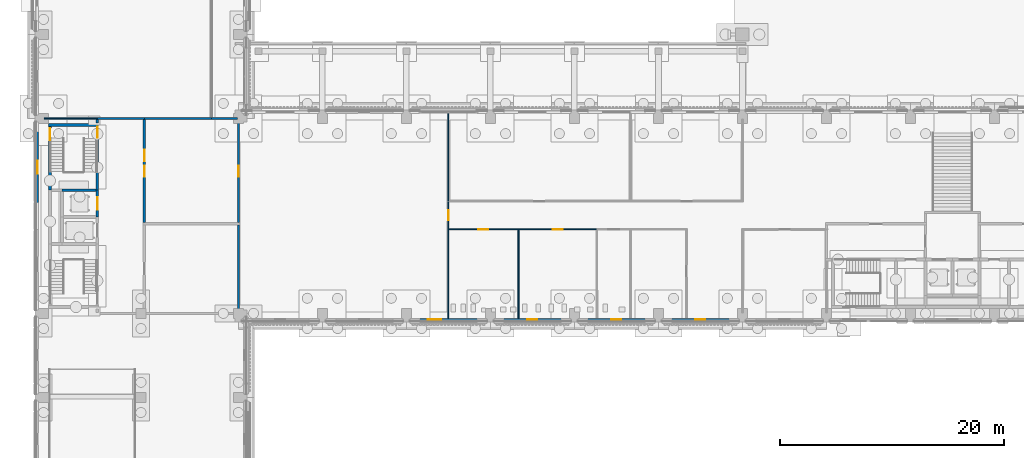
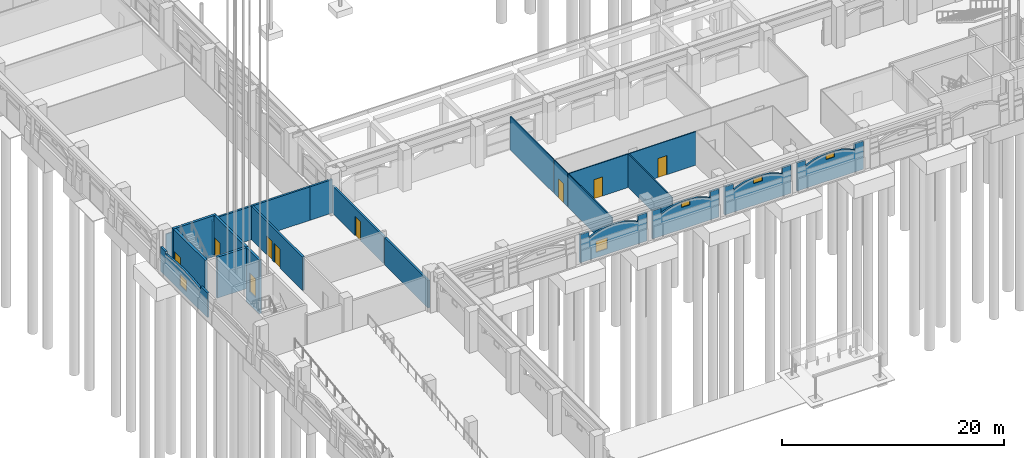
# One storey, part 33 of 99: 24 walls, 9 doors, 5 windows, 14 openings.
"""IFC4 building model written with IfcOpenShell, lengths in metres."""

from ifc_helpers import new_model, si_unit, direction, frame, frame_2d, origin, place, context, subcontext, project, spatial, polyline, rectangle, outline, extrude, material, layer, layer_set, type_object, element, fill, save


model = new_model("IFC4")

# Units and contexts
model_context = context("Model", 3, precision=1e-05, world=origin(), true_north=direction((0.0, 1.0)))
body_context = subcontext(model_context, "Body", "Model", "MODEL_VIEW")
ifc_project = project(units=[si_unit("LENGTHUNIT", "METRE"), si_unit("AREAUNIT", "SQUARE_METRE"), si_unit("VOLUMEUNIT", "CUBIC_METRE"), si_unit("PLANEANGLEUNIT", "RADIAN"), si_unit("MASSUNIT", "GRAM", prefix="KILO")], contexts=[model_context])

# Site, building, storey
site_placement = place(None, origin())
site = spatial("IfcSite", under=ifc_project, at=site_placement, CompositionType="ELEMENT")
building_placement = place(site_placement, origin())
building = spatial("IfcBuilding", under=site, at=building_placement, Name="Cour d'Honneur Mobility Palace", CompositionType="ELEMENT")
storey_placement = place(building_placement, origin())
storey = spatial("IfcBuildingStorey", under=building, at=storey_placement, Name="L00", CompositionType="ELEMENT", Elevation=0.0)

# Wall, opening, window
ifc_material_1 = material(Name="Concrete C40", Category="concrete")
ifc_layer_1 = layer(ifc_material_1, 0.199951171875)
ifc_layer_set_1 = layer_set([ifc_layer_1], Name="Concrete C40")
wall_type_1 = type_object("IfcWallType", Name="Arch infill panel", PredefinedType="SOLIDWALL", material=ifc_layer_set_1)
wall_1_placement = place(storey_placement, frame((32.699951171875, 44.449951171875, 0.0), z_axis=(0.0, 0.0, 1.0), x_axis=(1.0, 0.0, 0.0)))
wall_1 = element("IfcWall", 1, at=wall_1_placement, inside=storey, type_object=wall_type_1, Name="Arch infill panel IP-11", PredefinedType="SOLIDWALL", context=body_context, shape_type="SweptSolid", body=[
    extrude(outline(polyline([(0.0, 0.0), (6.900146484375, 0.0), (6.89990234375, 3.10009765625), (6.001953125, 3.10009765625), (6.0, 2.39990234375), (5.68115234375, 2.560302734375), (5.362548828125, 2.69482421875), (5.043701171875, 2.805908203125), (4.72509765625, 2.895263671875), (4.40625, 2.96337890625), (4.08740234375, 3.01171875), (3.768798828125, 3.04052734375), (3.449951171875, 3.050048828125), (3.13134765625, 3.04052734375), (2.8125, 3.01171875), (2.49365234375, 2.96337890625), (2.175048828125, 2.895263671875), (1.856201171875, 2.805908203125), (1.53759765625, 2.69482421875), (1.21875, 2.560302734375), (0.89990234375, 2.39990234375), (0.89794921875, 3.10009765625), (0.0, 3.10009765625), (0.0, 0.0)])), frame((0.0, 0.10009765625, 0.0), z_axis=(0.0, -1.0, 0.0), x_axis=(1.0, 0.0, 0.0)), (0.0, 0.0, 1.0), 0.199951171875),
])
opening_1_placement = place(wall_1_placement, frame((1.625, 0.0, 0.60009765625)))
opening_1 = element("IfcOpeningElement", 2, at=opening_1_placement, cuts=wall_1, Name="Opening WP-1", PredefinedType="OPENING", context=body_context, shape_type="SweptSolid", body=[
    extrude(rectangle(XDim=1.199951171875, YDim=1.199951171875, at=frame_2d((0.60009765625, 0.60009765625))), frame((0.0, 0.10986328125, 0.0), z_axis=(0.0, -1.0, 0.0), x_axis=(1.0, 0.0, 0.0)), (0.0, 0.0, 1.0), 0.219970703125),
])
ifc_material_2 = material(Name="Aluminium frame and glass", Category="aluminium")
window_type_1 = type_object("IfcWindowType", Name="Pavilion window W-PV", PartitioningType="SINGLE_PANEL", PredefinedType="WINDOW", material=ifc_material_2)
window_1_placement = place(opening_1_placement, origin())
window_1 = element("IfcWindow", 3, at=window_1_placement, inside=storey, type_object=window_type_1, Name="Pavilion window W-PV WP-1", OverallHeight=1.199951171875, OverallWidth=1.199951171875, PartitioningType="SINGLE_PANEL", PredefinedType="WINDOW", context=body_context, shape_type="SweptSolid", body=[
    extrude(rectangle(XDim=1.199951171875, YDim=1.199951171875, at=frame_2d((0.60009765625, 0.60009765625))), frame((0.0, 0.030029296875, 0.0), z_axis=(0.0, -1.0, 0.0), x_axis=(1.0, 0.0, 0.0)), (0.0, 0.0, 1.0), 0.06005859375),
])
fill(opening_1, window_1)

wall_2_placement = place(storey_placement, frame((40.199951171875, 44.449951171875, 0.0), z_axis=(0.0, 0.0, 1.0), x_axis=(1.0, 0.0, 0.0)))
wall_2 = element("IfcWall", 4, at=wall_2_placement, inside=storey, type_object=wall_type_1, Name="Arch infill panel IP-12", PredefinedType="SOLIDWALL", context=body_context, shape_type="SweptSolid", body=[
    extrude(outline(polyline([(0.0, 0.0), (6.900146484375, 0.0), (6.89990234375, 3.10009765625), (6.001953125, 3.10009765625), (6.0, 2.39990234375), (5.68115234375, 2.560302734375), (5.362548828125, 2.69482421875), (5.043701171875, 2.805908203125), (4.72509765625, 2.895263671875), (4.40625, 2.96337890625), (4.08740234375, 3.01171875), (3.768798828125, 3.04052734375), (3.449951171875, 3.050048828125), (3.13134765625, 3.04052734375), (2.8125, 3.01171875), (2.49365234375, 2.96337890625), (2.175048828125, 2.895263671875), (1.856201171875, 2.805908203125), (1.53759765625, 2.69482421875), (1.21875, 2.560302734375), (0.89990234375, 2.39990234375), (0.89794921875, 3.10009765625), (0.0, 3.10009765625), (0.0, 0.0)])), frame((0.0, 0.10009765625, 0.0), z_axis=(0.0, -1.0, 0.0), x_axis=(1.0, 0.0, 0.0)), (0.0, 0.0, 1.0), 0.199951171875),
])
opening_2_placement = place(wall_2_placement, frame((3.0, 0.0, 2.39990234375)))
opening_2 = element("IfcOpeningElement", 5, at=opening_2_placement, cuts=wall_2, Name="Opening WH-9", PredefinedType="OPENING", context=body_context, shape_type="SweptSolid", body=[
    extrude(rectangle(XDim=0.89990234375, YDim=0.531005859375, at=frame_2d((0.449951171875, 0.265625))), frame((0.0, 0.10986328125, 0.0), z_axis=(0.0, -1.0, 0.0), x_axis=(1.0, 0.0, 0.0)), (0.0, 0.0, 1.0), 0.219970703125),
])
ifc_material_3 = material(Name="Aluminium frame and glass", Category="aluminium")
window_type_2 = type_object("IfcWindowType", Name="High-level window 531", PartitioningType="SINGLE_PANEL", PredefinedType="WINDOW", material=ifc_material_3)
window_2_placement = place(opening_2_placement, origin())
window_2 = element("IfcWindow", 6, at=window_2_placement, inside=storey, type_object=window_type_2, Name="High-level window 531 WH-9", OverallHeight=0.531005859375, OverallWidth=0.89990234375, PartitioningType="SINGLE_PANEL", PredefinedType="WINDOW", context=body_context, shape_type="SweptSolid", body=[
    extrude(rectangle(XDim=0.89990234375, YDim=0.531005859375, at=frame_2d((0.449951171875, 0.265625))), frame((0.0, 0.030029296875, 0.0), z_axis=(0.0, -1.0, 0.0), x_axis=(1.0, 0.0, 0.0)), (0.0, 0.0, 1.0), 0.06005859375),
])
fill(opening_2, window_2)

wall_3_placement = place(storey_placement, frame((47.699951171875, 44.449951171875, 0.0), z_axis=(0.0, 0.0, 1.0), x_axis=(1.0, 0.0, 0.0)))
wall_3 = element("IfcWall", 7, at=wall_3_placement, inside=storey, type_object=wall_type_1, Name="Arch infill panel IP-13", PredefinedType="SOLIDWALL", context=body_context, shape_type="SweptSolid", body=[
    extrude(outline(polyline([(0.0, 0.0), (6.900146484375, 0.0), (6.89990234375, 3.10009765625), (6.001953125, 3.10009765625), (6.0, 2.39990234375), (5.68115234375, 2.560302734375), (5.362548828125, 2.69482421875), (5.043701171875, 2.805908203125), (4.72509765625, 2.895263671875), (4.40625, 2.96337890625), (4.08740234375, 3.01171875), (3.768798828125, 3.04052734375), (3.449951171875, 3.050048828125), (3.13134765625, 3.04052734375), (2.8125, 3.01171875), (2.49365234375, 2.96337890625), (2.175048828125, 2.895263671875), (1.856201171875, 2.805908203125), (1.53759765625, 2.69482421875), (1.21875, 2.560302734375), (0.89990234375, 2.39990234375), (0.89794921875, 3.10009765625), (0.0, 3.10009765625), (0.0, 0.0)])), frame((0.0, 0.10009765625, 0.0), z_axis=(0.0, -1.0, 0.0), x_axis=(1.0, 0.0, 0.0)), (0.0, 0.0, 1.0), 0.199951171875),
])
opening_3_placement = place(wall_3_placement, frame((3.0, 0.0, 2.39990234375)))
opening_3 = element("IfcOpeningElement", 8, at=opening_3_placement, cuts=wall_3, Name="Opening WH-10", PredefinedType="OPENING", context=body_context, shape_type="SweptSolid", body=[
    extrude(rectangle(XDim=0.89990234375, YDim=0.531005859375, at=frame_2d((0.449951171875, 0.265625))), frame((0.0, 0.10986328125, 0.0), z_axis=(0.0, -1.0, 0.0), x_axis=(1.0, 0.0, 0.0)), (0.0, 0.0, 1.0), 0.219970703125),
])
window_3_placement = place(opening_3_placement, origin())
window_3 = element("IfcWindow", 9, at=window_3_placement, inside=storey, type_object=window_type_2, Name="High-level window 531 WH-10", OverallHeight=0.531005859375, OverallWidth=0.89990234375, PartitioningType="SINGLE_PANEL", PredefinedType="WINDOW", context=body_context, shape_type="SweptSolid", body=[
    extrude(rectangle(XDim=0.89990234375, YDim=0.531005859375, at=frame_2d((0.449951171875, 0.265625))), frame((0.0, 0.030029296875, 0.0), z_axis=(0.0, -1.0, 0.0), x_axis=(1.0, 0.0, 0.0)), (0.0, 0.0, 1.0), 0.06005859375),
])
fill(opening_3, window_3)

wall_4_placement = place(storey_placement, frame((55.199951171875, 44.449951171875, 0.0), z_axis=(0.0, 0.0, 1.0), x_axis=(1.0, 0.0, 0.0)))
wall_4 = element("IfcWall", 10, at=wall_4_placement, inside=storey, type_object=wall_type_1, Name="Arch infill panel IP-14", PredefinedType="SOLIDWALL", context=body_context, shape_type="SweptSolid", body=[
    extrude(outline(polyline([(0.0, 0.0), (6.900146484375, 0.0), (6.89990234375, 3.10009765625), (6.001953125, 3.10009765625), (6.0, 2.39990234375), (5.68115234375, 2.560302734375), (5.362548828125, 2.69482421875), (5.043701171875, 2.805908203125), (4.72509765625, 2.895263671875), (4.40625, 2.96337890625), (4.08740234375, 3.01171875), (3.768798828125, 3.04052734375), (3.449951171875, 3.050048828125), (3.13134765625, 3.04052734375), (2.8125, 3.01171875), (2.49365234375, 2.96337890625), (2.175048828125, 2.895263671875), (1.856201171875, 2.805908203125), (1.53759765625, 2.69482421875), (1.21875, 2.560302734375), (0.89990234375, 2.39990234375), (0.89794921875, 3.10009765625), (0.0, 3.10009765625), (0.0, 0.0)])), frame((0.0, 0.10009765625, 0.0), z_axis=(0.0, -1.0, 0.0), x_axis=(1.0, 0.0, 0.0)), (0.0, 0.0, 1.0), 0.199951171875),
])
opening_4_placement = place(wall_4_placement, frame((3.0, 0.0, 2.39990234375)))
opening_4 = element("IfcOpeningElement", 11, at=opening_4_placement, cuts=wall_4, Name="Opening WH-11", PredefinedType="OPENING", context=body_context, shape_type="SweptSolid", body=[
    extrude(rectangle(XDim=0.89990234375, YDim=0.531005859375, at=frame_2d((0.449951171875, 0.265625))), frame((0.0, 0.10986328125, 0.0), z_axis=(0.0, -1.0, 0.0), x_axis=(1.0, 0.0, 0.0)), (0.0, 0.0, 1.0), 0.219970703125),
])
window_4_placement = place(opening_4_placement, origin())
window_4 = element("IfcWindow", 12, at=window_4_placement, inside=storey, type_object=window_type_2, Name="High-level window 531 WH-11", OverallHeight=0.531005859375, OverallWidth=0.89990234375, PartitioningType="SINGLE_PANEL", PredefinedType="WINDOW", context=body_context, shape_type="SweptSolid", body=[
    extrude(rectangle(XDim=0.89990234375, YDim=0.531005859375, at=frame_2d((0.449951171875, 0.265625))), frame((0.0, 0.030029296875, 0.0), z_axis=(0.0, -1.0, 0.0), x_axis=(1.0, 0.0, 0.0)), (0.0, 0.0, 1.0), 0.06005859375),
])
fill(opening_4, window_4)

wall_5_placement = place(storey_placement, frame((-0.550048828125, 62.10009765625, 0.0), z_axis=(0.0, 0.0, 1.0), x_axis=(0.0, -1.0, 0.0)))
wall_5 = element("IfcWall", 13, at=wall_5_placement, inside=storey, type_object=wall_type_1, Name="Arch infill panel IP-104", PredefinedType="SOLIDWALL", context=body_context, shape_type="SweptSolid", body=[
    extrude(outline(polyline([(0.0, 0.0), (8.400146484375, 0.0), (8.39990234375, 2.699951171875), (7.201904296875, 2.699951171875), (7.199951171875, 2.39990234375), (6.80615234375, 2.458984375), (6.41259765625, 2.509765625), (6.018798828125, 2.552734375), (5.625, 2.587890625), (5.231201171875, 2.614990234375), (4.83740234375, 2.634521484375), (4.44384765625, 2.64599609375), (4.050048828125, 2.64990234375), (3.65625, 2.64599609375), (3.262451171875, 2.634521484375), (2.86865234375, 2.614990234375), (2.47509765625, 2.587890625), (2.081298828125, 2.552734375), (1.6875, 2.509765625), (1.293701171875, 2.458984375), (0.89990234375, 2.39990234375), (0.89794921875, 2.699951171875), (0.0, 2.699951171875), (0.0, 0.0)])), frame((0.0, 0.10009765625, 0.0), z_axis=(0.0, -1.0, 0.0), x_axis=(1.0, 0.0, 0.0)), (0.0, 0.0, 1.0), 0.199951171875),
])
opening_5_placement = place(wall_5_placement, frame((3.449951171875, 0.0, 0.60009765625)))
opening_5 = element("IfcOpeningElement", 14, at=opening_5_placement, cuts=wall_5, Name="Opening WP-10", PredefinedType="OPENING", context=body_context, shape_type="SweptSolid", body=[
    extrude(rectangle(XDim=1.199951171875, YDim=1.199951171875, at=frame_2d((0.60009765625, 0.60009765625))), frame((0.0, 0.10986328125, 0.0), z_axis=(0.0, -1.0, 0.0), x_axis=(1.0, 0.0, 0.0)), (0.0, 0.0, 1.0), 0.219970703125),
])
window_5_placement = place(opening_5_placement, origin())
window_5 = element("IfcWindow", 15, at=window_5_placement, inside=storey, type_object=window_type_1, Name="Pavilion window W-PV WP-10", OverallHeight=1.199951171875, OverallWidth=1.199951171875, PartitioningType="SINGLE_PANEL", PredefinedType="WINDOW", context=body_context, shape_type="SweptSolid", body=[
    extrude(rectangle(XDim=1.199951171875, YDim=1.199951171875, at=frame_2d((0.60009765625, 0.60009765625))), frame((0.0, 0.030029296875, 0.0), z_axis=(0.0, -1.0, 0.0), x_axis=(1.0, 0.0, 0.0)), (0.0, 0.0, 1.0), 0.06005859375),
])
fill(opening_5, window_5)

# Wall, opening, door
ifc_material_4 = material(Name="Concrete C50", Category="concrete")
ifc_layer_2 = layer(ifc_material_4, 0.25)
ifc_layer_set_2 = layer_set([ifc_layer_2], Name="Concrete C50")
wall_type_2 = type_object("IfcWallType", Name="Lift shaft wall 250", PredefinedType="SHEAR", material=ifc_layer_set_2)
wall_6_placement = place(storey_placement, frame((4.800048828125, 53.60009765625, -1.39990234375), z_axis=(0.0, 0.0, 1.0), x_axis=(0.0, 1.0, 0.0)))
wall_6 = element("IfcWall", 16, at=wall_6_placement, inside=storey, type_object=wall_type_2, Name="Lift shaft wall WL-CW15 L00", PredefinedType="SHEAR", context=body_context, shape_type="SweptSolid", body=[
    extrude(rectangle(XDim=2.39990234375, YDim=0.25, at=frame_2d((1.199951171875, 0.0))), origin(), (0.0, 0.0, 1.0), 5.89990234375),
])
opening_6_placement = place(wall_6_placement, frame((0.64990234375, 0.0, 1.39990234375)))
opening_6 = element("IfcOpeningElement", 17, at=opening_6_placement, cuts=wall_6, Name="Opening LD11", PredefinedType="OPENING", context=body_context, shape_type="SweptSolid", body=[
    extrude(rectangle(XDim=1.10009765625, YDim=2.10009765625, at=frame_2d((0.550048828125, 1.050048828125))), frame((0.0, 0.135009765625, 0.0), z_axis=(0.0, -1.0, 0.0), x_axis=(1.0, 0.0, 0.0)), (0.0, 0.0, 1.0), 0.27001953125),
])
ifc_material_5 = material(Name="Stainless steel", Category="steel")
door_type_1 = type_object("IfcDoorType", Name="Landing door 1100 x 2100", OperationType="SLIDING_TO_LEFT", PredefinedType="DOOR", material=ifc_material_5)
door_1_placement = place(opening_6_placement, origin())
door_1 = element("IfcDoor", 18, at=door_1_placement, inside=storey, type_object=door_type_1, Name="Landing door LF-CW2 L00", OperationType="SLIDING_TO_LEFT", OverallHeight=2.10009765625, OverallWidth=1.10009765625, PredefinedType="DOOR", context=body_context, shape_type="SweptSolid", body=[
    extrude(rectangle(XDim=1.10009765625, YDim=2.10009765625, at=frame_2d((0.550048828125, 1.050048828125))), frame((0.0, 0.02490234375, 0.0), z_axis=(0.0, -1.0, 0.0), x_axis=(1.0, 0.0, 0.0)), (0.0, 0.0, 1.0), 0.050048828125),
])
fill(opening_6, door_1)

# Walls
ifc_material_6 = material(Name="Gypsum plasterboard")
ifc_layer_3 = layer(ifc_material_6, 0.10009765625)
ifc_layer_set_3 = layer_set([ifc_layer_3], Name="Gypsum plasterboard")
wall_type_3 = type_object("IfcWallType", Name="Partition 100", PredefinedType="PARTITIONING", material=ifc_layer_set_3)
for number, where, z_axis, x_axis, name in (
    (19, (36.14990234375, 44.550048828125, 0.0), (0.0, 0.0, 1.0), (0.0, 1.0, 0.0), "Partition 030"),
    (20, (42.39990234375, 44.550048828125, 0.0), (0.0, 0.0, 1.0), (0.0, 1.0, 0.0), "Partition 031"),
):
    element("IfcWall", number, at=place(storey_placement, frame(where, z_axis=z_axis, x_axis=x_axis)), inside=storey, type_object=wall_type_3, Name=name, PredefinedType="PARTITIONING", context=body_context, shape_type="SweptSolid", body=[
        extrude(rectangle(XDim=7.89990234375, YDim=0.10009765625, at=frame_2d((3.949951171875, 0.0))), origin(), (0.0, 0.0, 1.0), 3.679931640625),
    ])

# Wall, opening, door
wall_7_placement = place(storey_placement, frame((36.14990234375, 52.550048828125, 0.0), z_axis=(0.0, 0.0, 1.0), x_axis=(0.0, 1.0, 0.0)))
wall_7 = element("IfcWall", 21, at=wall_7_placement, inside=storey, type_object=wall_type_3, Name="Partition 048", PredefinedType="PARTITIONING", context=body_context, shape_type="SweptSolid", body=[
    extrude(rectangle(XDim=2.39990234375, YDim=0.10009765625, at=frame_2d((1.199951171875, 0.0))), origin(), (0.0, 0.0, 1.0), 3.679931640625),
])
opening_7_placement = place(wall_7_placement, frame((0.75, 0.0, 0.0)))
opening_7 = element("IfcOpeningElement", 22, at=opening_7_placement, cuts=wall_7, Name="Opening D0015", PredefinedType="OPENING", context=body_context, shape_type="SweptSolid", body=[
    extrude(rectangle(XDim=0.89990234375, YDim=2.10009765625, at=frame_2d((0.449951171875, 1.050048828125))), frame((0.0, 0.06005859375, 0.0), z_axis=(0.0, -1.0, 0.0), x_axis=(1.0, 0.0, 0.0)), (0.0, 0.0, 1.0), 0.1201171875),
])
ifc_material_7 = material(Name="Solid timber", Category="wood")
door_type_2 = type_object("IfcDoorType", Name="Single door 900 x 2100", OperationType="SINGLE_SWING_LEFT", PredefinedType="DOOR", material=ifc_material_7)
door_2_placement = place(opening_7_placement, origin())
door_2 = element("IfcDoor", 23, at=door_2_placement, inside=storey, type_object=door_type_2, Name="Door Taxi Lounge", OperationType="SINGLE_SWING_RIGHT", OverallHeight=2.10009765625, OverallWidth=0.89990234375, PredefinedType="DOOR", context=body_context, shape_type="SweptSolid", body=[
    extrude(rectangle(XDim=0.89990234375, YDim=2.10009765625, at=frame_2d((0.449951171875, 1.050048828125))), frame((0.0, 0.02490234375, 0.0), z_axis=(0.0, -1.0, 0.0), x_axis=(1.0, 0.0, 0.0)), (0.0, 0.0, 1.0), 0.050048828125),
])
fill(opening_7, door_2)

wall_8_placement = place(storey_placement, frame((42.39990234375, 52.5, 0.0), z_axis=(0.0, 0.0, 1.0), x_axis=(-1.0, 0.0, 0.0)))
wall_8 = element("IfcWall", 24, at=wall_8_placement, inside=storey, type_object=wall_type_3, Name="Partition 049", PredefinedType="PARTITIONING", context=body_context, shape_type="SweptSolid", body=[
    extrude(rectangle(XDim=6.2998046875, YDim=0.10009765625, at=frame_2d((3.14990234375, 0.0))), origin(), (0.0, 0.0, 1.0), 3.679931640625),
])
opening_8_placement = place(wall_8_placement, frame((2.699951171875, 0.0, 0.0)))
opening_8 = element("IfcOpeningElement", 25, at=opening_8_placement, cuts=wall_8, Name="Opening D0017", PredefinedType="OPENING", context=body_context, shape_type="SweptSolid", body=[
    extrude(rectangle(XDim=0.89990234375, YDim=2.10009765625, at=frame_2d((0.449951171875, 1.050048828125))), frame((0.0, 0.06005859375, 0.0), z_axis=(0.0, -1.0, 0.0), x_axis=(1.0, 0.0, 0.0)), (0.0, 0.0, 1.0), 0.1201171875),
])
door_3_placement = place(opening_8_placement, origin())
door_3 = element("IfcDoor", 26, at=door_3_placement, inside=storey, type_object=door_type_2, Name="Door WC Men", OperationType="SINGLE_SWING_LEFT", OverallHeight=2.10009765625, OverallWidth=0.89990234375, PredefinedType="DOOR", context=body_context, shape_type="SweptSolid", body=[
    extrude(rectangle(XDim=0.89990234375, YDim=2.10009765625, at=frame_2d((0.449951171875, 1.050048828125))), frame((0.0, 0.02490234375, 0.0), z_axis=(0.0, -1.0, 0.0), x_axis=(1.0, 0.0, 0.0)), (0.0, 0.0, 1.0), 0.050048828125),
])
fill(opening_8, door_3)

wall_9_placement = place(storey_placement, frame((49.39990234375, 52.5, 0.0), z_axis=(0.0, 0.0, 1.0), x_axis=(-1.0, 0.0, 0.0)))
wall_9 = element("IfcWall", 27, at=wall_9_placement, inside=storey, type_object=wall_type_3, Name="Partition 050", PredefinedType="PARTITIONING", context=body_context, shape_type="SweptSolid", body=[
    extrude(rectangle(XDim=7.0, YDim=0.10009765625, at=frame_2d((3.5, 0.0))), origin(), (0.0, 0.0, 1.0), 3.679931640625),
])
opening_9_placement = place(wall_9_placement, frame((3.050048828125, 0.0, 0.0)))
opening_9 = element("IfcOpeningElement", 28, at=opening_9_placement, cuts=wall_9, Name="Opening D0018", PredefinedType="OPENING", context=body_context, shape_type="SweptSolid", body=[
    extrude(rectangle(XDim=0.89990234375, YDim=2.10009765625, at=frame_2d((0.449951171875, 1.050048828125))), frame((0.0, 0.06005859375, 0.0), z_axis=(0.0, -1.0, 0.0), x_axis=(1.0, 0.0, 0.0)), (0.0, 0.0, 1.0), 0.1201171875),
])
door_4_placement = place(opening_9_placement, origin())
door_4 = element("IfcDoor", 29, at=door_4_placement, inside=storey, type_object=door_type_2, Name="Door WC Women", OperationType="SINGLE_SWING_RIGHT", OverallHeight=2.10009765625, OverallWidth=0.89990234375, PredefinedType="DOOR", context=body_context, shape_type="SweptSolid", body=[
    extrude(rectangle(XDim=0.89990234375, YDim=2.10009765625, at=frame_2d((0.449951171875, 1.050048828125))), frame((0.0, 0.02490234375, 0.0), z_axis=(0.0, -1.0, 0.0), x_axis=(1.0, 0.0, 0.0)), (0.0, 0.0, 1.0), 0.050048828125),
])
fill(opening_9, door_4)

# Walls
wall_10_placement = place(storey_placement, frame((36.14990234375, 55.050048828125, 0.0), z_axis=(0.0, 0.0, 1.0), x_axis=(0.0, 1.0, 0.0)))
element("IfcWall", 30, at=wall_10_placement, inside=storey, type_object=wall_type_3, Name="Partition 077", PredefinedType="PARTITIONING", context=body_context, shape_type="SweptSolid", body=[
    extrude(rectangle(XDim=7.849853515625, YDim=0.10009765625, at=frame_2d((3.9248046875, 0.0))), origin(), (0.0, 0.0, 1.0), 3.679931640625),
])
wall_11_placement = place(storey_placement, frame((0.06005859375, 62.39990234375, 0.0), z_axis=(0.0, 0.0, 1.0), x_axis=(1.0, 0.0, 0.0)))
element("IfcWall", 31, at=wall_11_placement, inside=storey, type_object=wall_type_3, Name="Partition 089", PredefinedType="PARTITIONING", context=body_context, shape_type="SweptSolid", body=[
    extrude(rectangle(XDim=4.739990234375, YDim=0.10009765625, at=frame_2d((2.3701171875, 0.0))), origin(), (0.0, 0.0, 1.0), 3.679931640625),
])

# Wall, openings, doors
ifc_material_8 = material(Name="Gypsum plasterboard")
ifc_layer_4 = layer(ifc_material_8, 0.199951171875)
ifc_layer_set_4 = layer_set([ifc_layer_4], Name="Gypsum plasterboard")
wall_type_4 = type_object("IfcWallType", Name="Partition 200 rated EI 120", PredefinedType="PARTITIONING", material=ifc_layer_set_4)
wall_12_placement = place(storey_placement, frame((9.0, 53.10009765625, 0.0), z_axis=(0.0, 0.0, 1.0), x_axis=(0.0, 1.0, 0.0)))
wall_12 = element("IfcWall", 32, at=wall_12_placement, inside=storey, type_object=wall_type_4, Name="Partition 064", PredefinedType="PARTITIONING", context=body_context, shape_type="SweptSolid", body=[
    extrude(rectangle(XDim=9.199951171875, YDim=0.199951171875, at=frame_2d((4.60009765625, 0.0))), origin(), (0.0, 0.0, 1.0), 3.679931640625),
])
opening_10_placement = place(wall_12_placement, frame((4.10009765625, 0.0, 0.0)))
opening_10 = element("IfcOpeningElement", 33, at=opening_10_placement, cuts=wall_12, Name="Opening D0001", PredefinedType="OPENING", context=body_context, shape_type="SweptSolid", body=[
    extrude(rectangle(XDim=1.0, YDim=2.10009765625, at=frame_2d((0.5, 1.050048828125))), frame((0.0, 0.10986328125, 0.0), z_axis=(0.0, -1.0, 0.0), x_axis=(1.0, 0.0, 0.0)), (0.0, 0.0, 1.0), 0.219970703125),
])
opening_11_placement = place(wall_12_placement, frame((5.5, 0.0, 0.0)))
opening_11 = element("IfcOpeningElement", 34, at=opening_11_placement, cuts=wall_12, Name="Opening D0012", PredefinedType="OPENING", context=body_context, shape_type="SweptSolid", body=[
    extrude(rectangle(XDim=1.0, YDim=2.10009765625, at=frame_2d((0.5, 1.050048828125))), frame((0.0, 0.10986328125, 0.0), z_axis=(0.0, -1.0, 0.0), x_axis=(1.0, 0.0, 0.0)), (0.0, 0.0, 1.0), 0.219970703125),
])
ifc_material_9 = material(Name="Galvanised steel", Category="steel")
door_type_3 = type_object("IfcDoorType", Name="Fire door FD120 1000 x 2100", OperationType="SINGLE_SWING_LEFT", PredefinedType="DOOR", material=ifc_material_9)
door_5_placement = place(opening_10_placement, origin())
door_5 = element("IfcDoor", 35, at=door_5_placement, inside=storey, type_object=door_type_3, Name="Door Firefighting Lobby CW", OperationType="SINGLE_SWING_LEFT", OverallHeight=2.10009765625, OverallWidth=1.0, PredefinedType="DOOR", context=body_context, shape_type="SweptSolid", body=[
    extrude(rectangle(XDim=1.0, YDim=2.10009765625, at=frame_2d((0.5, 1.050048828125))), frame((0.0, 0.02490234375, 0.0), z_axis=(0.0, -1.0, 0.0), x_axis=(1.0, 0.0, 0.0)), (0.0, 0.0, 1.0), 0.050048828125),
])
fill(opening_10, door_5)
door_6_placement = place(opening_11_placement, origin())
door_6 = element("IfcDoor", 36, at=door_6_placement, inside=storey, type_object=door_type_3, Name="Door Parking Plant Room", OperationType="SINGLE_SWING_RIGHT", OverallHeight=2.10009765625, OverallWidth=1.0, PredefinedType="DOOR", context=body_context, shape_type="SweptSolid", body=[
    extrude(rectangle(XDim=1.0, YDim=2.10009765625, at=frame_2d((0.5, 1.050048828125))), frame((0.0, 0.02490234375, 0.0), z_axis=(0.0, -1.0, 0.0), x_axis=(1.0, 0.0, 0.0)), (0.0, 0.0, 1.0), 0.050048828125),
])
fill(opening_11, door_6)

# Walls
wall_13_placement = place(storey_placement, frame((4.800048828125, 62.300048828125, 0.0), z_axis=(0.0, 0.0, 1.0), x_axis=(0.0, -1.0, 0.0)))
element("IfcWall", 37, at=wall_13_placement, inside=storey, type_object=wall_type_4, Name="Partition 090", PredefinedType="PARTITIONING", context=body_context, shape_type="SweptSolid", body=[
    extrude(rectangle(XDim=0.300048828125, YDim=0.199951171875, at=frame_2d((0.14990234375, 0.0))), origin(), (0.0, 0.0, 1.0), 3.679931640625),
])
wall_14_placement = place(storey_placement, frame((9.0, 62.39990234375, 0.0), z_axis=(0.0, 0.0, 1.0), x_axis=(-1.0, 0.0, 0.0)))
element("IfcWall", 38, at=wall_14_placement, inside=storey, type_object=wall_type_4, Name="Partition 091", PredefinedType="PARTITIONING", context=body_context, shape_type="SweptSolid", body=[
    extrude(rectangle(XDim=4.199951171875, YDim=0.199951171875, at=frame_2d((2.10009765625, 0.0))), origin(), (0.0, 0.0, 1.0), 3.679931640625),
])
wall_15_placement = place(storey_placement, frame((15.0, 62.39990234375, 0.0), z_axis=(0.0, 0.0, 1.0), x_axis=(-1.0, 0.0, 0.0)))
element("IfcWall", 39, at=wall_15_placement, inside=storey, type_object=wall_type_4, Name="Partition 092", PredefinedType="PARTITIONING", context=body_context, shape_type="SweptSolid", body=[
    extrude(rectangle(XDim=6.0, YDim=0.199951171875, at=frame_2d((3.0, 0.0))), origin(), (0.0, 0.0, 1.0), 3.679931640625),
])
wall_16_placement = place(storey_placement, frame((17.340087890625, 62.39990234375, 0.0), z_axis=(0.0, 0.0, 1.0), x_axis=(-1.0, 0.0, 0.0)))
element("IfcWall", 40, at=wall_16_placement, inside=storey, type_object=wall_type_4, Name="Partition 094", PredefinedType="PARTITIONING", context=body_context, shape_type="SweptSolid", body=[
    extrude(rectangle(XDim=2.340087890625, YDim=0.199951171875, at=frame_2d((1.169921875, 0.0))), origin(), (0.0, 0.0, 1.0), 3.679931640625),
])
ifc_material_10 = material(Name="Gypsum plasterboard")
ifc_layer_5 = layer(ifc_material_10, 0.199951171875)
ifc_layer_set_5 = layer_set([ifc_layer_5], Name="Gypsum plasterboard")
wall_type_5 = type_object("IfcWallType", Name="Partition 200 rated EI 120 under beam 1500", PredefinedType="PARTITIONING", material=ifc_layer_set_5)
wall_17_placement = place(storey_placement, frame((17.39990234375, 45.06005859375, 0.0), z_axis=(0.0, 0.0, 1.0), x_axis=(0.0, 1.0, 0.0)))
element("IfcWall", 41, at=wall_17_placement, inside=storey, type_object=wall_type_5, Name="Partition 029", PredefinedType="PARTITIONING", context=body_context, shape_type="SweptSolid", body=[
    extrude(rectangle(XDim=7.83984375, YDim=0.199951171875, at=frame_2d((3.919921875, 0.0))), origin(), (0.0, 0.0, 1.0), 3.0),
])

# Wall, opening, door
wall_18_placement = place(storey_placement, frame((17.39990234375, 53.10009765625, 0.0), z_axis=(0.0, 0.0, 1.0), x_axis=(0.0, 1.0, 0.0)))
wall_18 = element("IfcWall", 42, at=wall_18_placement, inside=storey, type_object=wall_type_5, Name="Partition 066", PredefinedType="PARTITIONING", context=body_context, shape_type="SweptSolid", body=[
    extrude(rectangle(XDim=9.239990234375, YDim=0.199951171875, at=frame_2d((4.6201171875, 0.0))), origin(), (0.0, 0.0, 1.0), 3.0),
])
opening_12_placement = place(wall_18_placement, frame((4.087158203125, 0.0, 0.0)))
opening_12 = element("IfcOpeningElement", 43, at=opening_12_placement, cuts=wall_18, Name="Opening D0051", PredefinedType="OPENING", context=body_context, shape_type="SweptSolid", body=[
    extrude(rectangle(XDim=1.0, YDim=2.10009765625, at=frame_2d((0.5, 1.050048828125))), frame((0.0, 0.10986328125, 0.0), z_axis=(0.0, -1.0, 0.0), x_axis=(1.0, 0.0, 0.0)), (0.0, 0.0, 1.0), 0.219970703125),
])
door_7_placement = place(opening_12_placement, origin())
door_7 = element("IfcDoor", 44, at=door_7_placement, inside=storey, type_object=door_type_3, Name="Door Lift Lobby", OperationType="SINGLE_SWING_LEFT", OverallHeight=2.10009765625, OverallWidth=1.0, PredefinedType="DOOR", context=body_context, shape_type="SweptSolid", body=[
    extrude(rectangle(XDim=1.0, YDim=2.10009765625, at=frame_2d((0.5, 1.050048828125))), frame((0.0, 0.02490234375, 0.0), z_axis=(0.0, -1.0, 0.0), x_axis=(1.0, 0.0, 0.0)), (0.0, 0.0, 1.0), 0.050048828125),
])
fill(opening_12, door_7)

# Walls
ifc_material_11 = material(Name="Concrete C50", Category="concrete")
ifc_layer_6 = layer(ifc_material_11, 0.25)
ifc_layer_set_6 = layer_set([ifc_layer_6], Name="Concrete C50")
wall_type_6 = type_object("IfcWallType", Name="Stair wall 250", PredefinedType="SHEAR", material=ifc_layer_set_6)
wall_19_placement = place(storey_placement, frame((1.64990234375, 56.0, 0.0), z_axis=(0.0, 0.0, 1.0), x_axis=(1.0, 0.0, 0.0)))
element("IfcWall", 45, at=wall_19_placement, inside=storey, type_object=wall_type_6, Name="Stair wall WS-CW6 L00", PredefinedType="SHEAR", context=body_context, shape_type="SweptSolid", body=[
    extrude(rectangle(XDim=3.025146484375, YDim=0.25, at=frame_2d((1.5126953125, 0.0))), origin(), (0.0, 0.0, 1.0), 4.5),
])
wall_20_placement = place(storey_placement, frame((0.449951171875, 61.824951171875, 0.0), z_axis=(0.0, 0.0, 1.0), x_axis=(1.0, 0.0, 0.0)))
element("IfcWall", 46, at=wall_20_placement, inside=storey, type_object=wall_type_6, Name="Stair wall WS-CW7 L00", PredefinedType="SHEAR", context=body_context, shape_type="SweptSolid", body=[
    extrude(rectangle(XDim=4.47509765625, YDim=0.25, at=frame_2d((2.237548828125, 0.0))), origin(), (0.0, 0.0, 1.0), 4.5),
])

# Wall, opening, door
wall_21_placement = place(storey_placement, frame((0.574951171875, 56.0, 0.0), z_axis=(0.0, 0.0, 1.0), x_axis=(0.0, 1.0, 0.0)))
wall_21 = element("IfcWall", 47, at=wall_21_placement, inside=storey, type_object=wall_type_6, Name="Stair wall WS-CW10 L00", PredefinedType="SHEAR", context=body_context, shape_type="SweptSolid", body=[
    extrude(rectangle(XDim=5.699951171875, YDim=0.25, at=frame_2d((2.85009765625, 0.0))), origin(), (0.0, 0.0, 1.0), 4.5),
])
opening_13_placement = place(wall_21_placement, frame((4.449951171875, 0.0, 0.0)))
opening_13 = element("IfcOpeningElement", 48, at=opening_13_placement, cuts=wall_21, Name="Opening D3-8", PredefinedType="OPENING", context=body_context, shape_type="SweptSolid", body=[
    extrude(rectangle(XDim=1.10009765625, YDim=2.10009765625, at=frame_2d((0.550048828125, 1.050048828125))), frame((0.0, 0.135009765625, 0.0), z_axis=(0.0, -1.0, 0.0), x_axis=(1.0, 0.0, 0.0)), (0.0, 0.0, 1.0), 0.27001953125),
])
ifc_material_12 = material(Name="Painted steel", Category="steel")
door_type_4 = type_object("IfcDoorType", Name="Exit door 1100", OperationType="SINGLE_SWING_LEFT", PredefinedType="DOOR", material=ifc_material_12)
door_8_placement = place(opening_13_placement, origin())
door_8 = element("IfcDoor", 49, at=door_8_placement, inside=storey, type_object=door_type_4, Name="Exit door 1100 D3-8", OperationType="SINGLE_SWING_RIGHT", OverallHeight=2.10009765625, OverallWidth=1.10009765625, PredefinedType="DOOR", context=body_context, shape_type="SweptSolid", body=[
    extrude(rectangle(XDim=1.10009765625, YDim=2.10009765625, at=frame_2d((0.550048828125, 1.050048828125))), frame((0.0, 0.02490234375, 0.0), z_axis=(0.0, -1.0, 0.0), x_axis=(1.0, 0.0, 0.0)), (0.0, 0.0, 1.0), 0.050048828125),
])
fill(opening_13, door_8)

wall_22_placement = place(storey_placement, frame((4.800048828125, 56.0, 0.0), z_axis=(0.0, 0.0, 1.0), x_axis=(0.0, 1.0, 0.0)))
wall_22 = element("IfcWall", 50, at=wall_22_placement, inside=storey, type_object=wall_type_6, Name="Stair wall WS-CW16 L00", PredefinedType="SHEAR", context=body_context, shape_type="SweptSolid", body=[
    extrude(rectangle(XDim=5.699951171875, YDim=0.25, at=frame_2d((2.85009765625, 0.0))), origin(), (0.0, 0.0, 1.0), 4.5),
])
opening_14_placement = place(wall_22_placement, frame((4.675048828125, 0.0, 0.0)))
opening_14 = element("IfcOpeningElement", 51, at=opening_14_placement, cuts=wall_22, Name="Opening S65", PredefinedType="OPENING", context=body_context, shape_type="SweptSolid", body=[
    extrude(rectangle(XDim=1.0, YDim=2.10009765625, at=frame_2d((0.5, 1.050048828125))), frame((0.0, 0.135009765625, 0.0), z_axis=(0.0, -1.0, 0.0), x_axis=(1.0, 0.0, 0.0)), (0.0, 0.0, 1.0), 0.27001953125),
])
ifc_material_13 = material(Name="Galvanised steel", Category="steel")
door_type_5 = type_object("IfcDoorType", Name="Fire door FD120 stair 1000 x 2100", OperationType="SINGLE_SWING_LEFT", PredefinedType="DOOR", material=ifc_material_13)
door_9_placement = place(opening_14_placement, origin())
door_9 = element("IfcDoor", 52, at=door_9_placement, inside=storey, type_object=door_type_5, Name="Stair door ST-CW2 L00", OperationType="SINGLE_SWING_LEFT", OverallHeight=2.10009765625, OverallWidth=1.0, PredefinedType="DOOR", context=body_context, shape_type="SweptSolid", body=[
    extrude(rectangle(XDim=1.0, YDim=2.10009765625, at=frame_2d((0.5, 1.050048828125))), frame((0.0, 0.02490234375, 0.0), z_axis=(0.0, -1.0, 0.0), x_axis=(1.0, 0.0, 0.0)), (0.0, 0.0, 1.0), 0.050048828125),
])
fill(opening_14, door_9)

save(model, "model.ifc")
